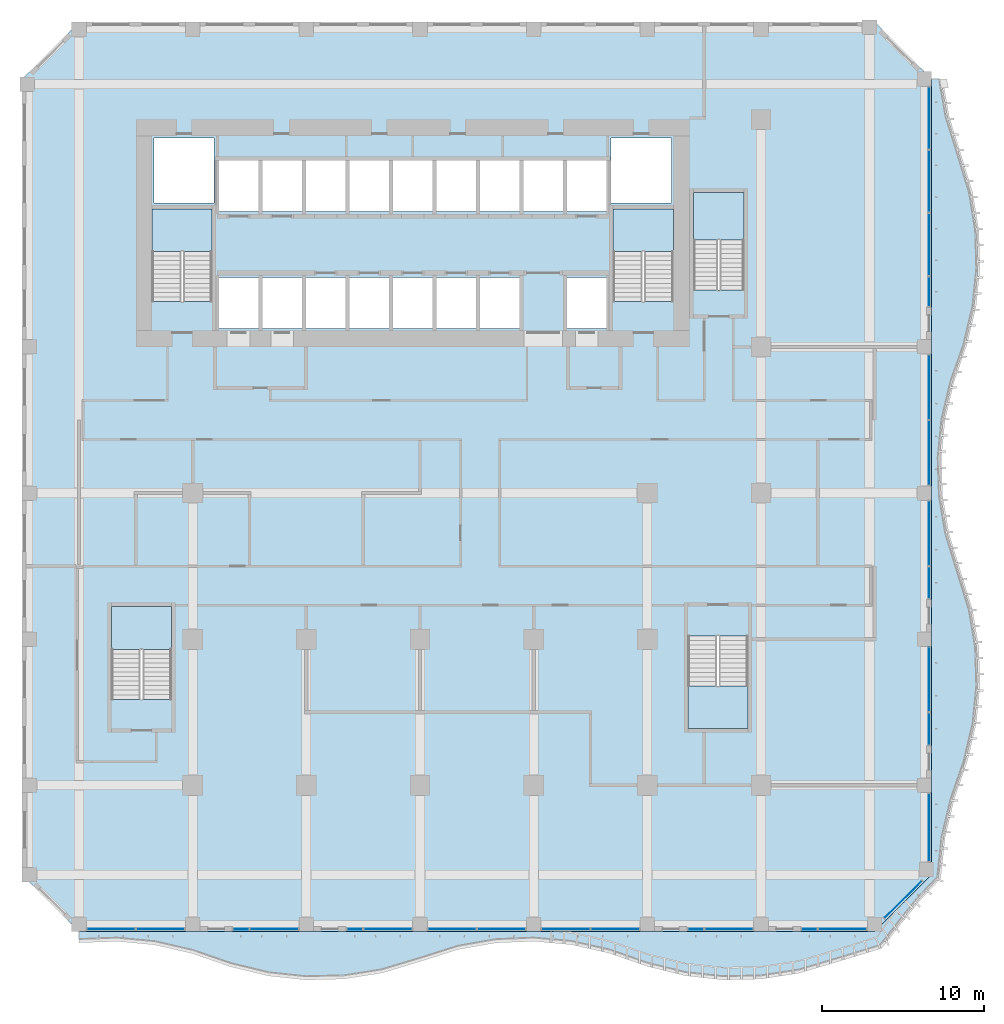
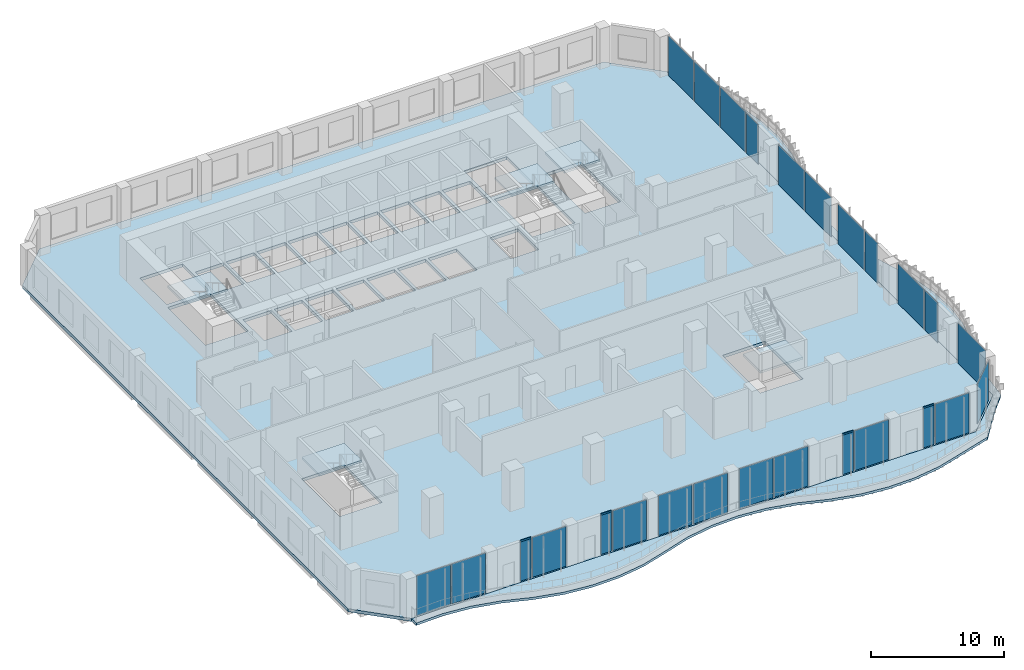
# One storey, part 9 of 25: 26 plates, 7 slabs, 4 members, 31 elements without a shape of their own.
"""IFC4 building model written with IfcOpenShell, lengths in metres."""

from ifc_helpers import new_model, si_unit, direction, frame, origin, origin_2d, place, context, subcontext, project, spatial, polyline, rectangle, outline, extrude, source, transform, mapped, material, layer, layer_set, material_profile, profile_set, type_object, element, aggregate, save


model = new_model("IFC4")

# Units and contexts
model_context = context("Model", 3, precision=1e-05, world=origin(), true_north=direction((0.0, 1.0)))
body_context = subcontext(model_context, "Body", "Model", "MODEL_VIEW")
ifc_project = project(units=[si_unit("LENGTHUNIT", "METRE"), si_unit("AREAUNIT", "SQUARE_METRE"), si_unit("VOLUMEUNIT", "CUBIC_METRE"), si_unit("PLANEANGLEUNIT", "RADIAN"), si_unit("MASSUNIT", "GRAM", prefix="KILO")], contexts=[model_context])

# Site, building, storey
site_placement = place(None, origin())
site = spatial("IfcSite", under=ifc_project, at=site_placement, CompositionType="ELEMENT")
building_placement = place(site_placement, origin())
building = spatial("IfcBuilding", under=site, at=building_placement, Name="Kilnfold Tower and Market Hall", CompositionType="ELEMENT")
storey_placement = place(building_placement, frame((0.0, 0.0, 67.199951171875)))
storey = spatial("IfcBuildingStorey", under=building, at=storey_placement, Name="L15", CompositionType="ELEMENT", Elevation=67.199951171875)

# Curtain wall, member
ifc_material_1 = material(Name="Aluminium and double glazing", Category="aluminium")
curtain_wall_type = type_object("IfcCurtainWallType", Name="CW OF1 VALLEY GLAZING", PredefinedType="NOTDEFINED", material=ifc_material_1)
curtain_wall_1_placement = place(storey_placement, origin())
curtain_wall_1 = element("IfcCurtainWall", 1, at=curtain_wall_1_placement, inside=storey, type_object=curtain_wall_type, Name="Curtain wall CW1 L15 S", PredefinedType="NOTDEFINED")
ifc_material_2 = material(Name="Aluminium", Category="aluminium")
ifc_material_profile = material_profile(ifc_material_2, rectangle(XDim=0.06005859375, YDim=0.139892578125, at=origin_2d()), Name="TRANSOM 60x140")
ifc_profile_set = profile_set([ifc_material_profile], Name="Aluminium")
member_type = type_object("IfcMemberType", Name="TRANSOM 60X140", PredefinedType="USERDEFINED", material=ifc_profile_set)
shared_shape_1 = source(origin(), body_context, "Body", "SweptSolid", [
    extrude(rectangle(XDim=0.06005859375, YDim=0.139892578125, at=origin_2d()), origin(), (0.0, 0.0, 1.0), 0.929931640625),
])
member_1_placement = place(storey_placement, frame((-9.989990234375, -27.85009765625, 3.68994140625), z_axis=(1.0, 0.0, 0.0), x_axis=(0.0, 1.0, 0.0)))
member_1 = element("IfcMember", 2, at=member_1_placement, type_object=member_type, Name="CW1 transom 1.2", ObjectType="TRANSOM", PredefinedType="USERDEFINED", context=body_context, shape_type="MappedRepresentation", body=[
    mapped(shared_shape_1, transform((0.0, 0.0, 0.0))),
])

curtain_wall_2_placement = place(storey_placement, origin())
curtain_wall_2 = element("IfcCurtainWall", 3, at=curtain_wall_2_placement, inside=storey, type_object=curtain_wall_type, Name="Curtain wall CW1 L15 S", PredefinedType="NOTDEFINED")
member_2_placement = place(storey_placement, frame((-2.989990234375, -27.85009765625, 3.68994140625), z_axis=(1.0, 0.0, 0.0), x_axis=(0.0, 1.0, 0.0)))
member_2 = element("IfcMember", 4, at=member_2_placement, type_object=member_type, Name="CW1 transom 1.2", ObjectType="TRANSOM", PredefinedType="USERDEFINED", context=body_context, shape_type="MappedRepresentation", body=[
    mapped(shared_shape_1, transform((0.0, 0.0, 0.0))),
])

curtain_wall_3_placement = place(storey_placement, origin())
curtain_wall_3 = element("IfcCurtainWall", 5, at=curtain_wall_3_placement, inside=storey, type_object=curtain_wall_type, Name="Curtain wall CW1 L15 S", PredefinedType="NOTDEFINED")
member_3_placement = place(storey_placement, frame((18.010009765625, -27.85009765625, 3.68994140625), z_axis=(1.0, 0.0, 0.0), x_axis=(0.0, 1.0, 0.0)))
member_3 = element("IfcMember", 6, at=member_3_placement, type_object=member_type, Name="CW1 transom 1.2", ObjectType="TRANSOM", PredefinedType="USERDEFINED", context=body_context, shape_type="MappedRepresentation", body=[
    mapped(shared_shape_1, transform((0.0, 0.0, 0.0))),
])

curtain_wall_4_placement = place(storey_placement, origin())
curtain_wall_4 = element("IfcCurtainWall", 7, at=curtain_wall_4_placement, inside=storey, type_object=curtain_wall_type, Name="Curtain wall CW1 L15 S", PredefinedType="NOTDEFINED")
member_4_placement = place(storey_placement, frame((25.010009765625, -27.85009765625, 3.68994140625), z_axis=(1.0, 0.0, 0.0), x_axis=(0.0, 1.0, 0.0)))
member_4 = element("IfcMember", 8, at=member_4_placement, type_object=member_type, Name="CW1 transom 1.2", ObjectType="TRANSOM", PredefinedType="USERDEFINED", context=body_context, shape_type="MappedRepresentation", body=[
    mapped(shared_shape_1, transform((0.0, 0.0, 0.0))),
])

# Slab
ifc_material_3 = material(Name="Concrete C45", Category="concrete")
ifc_layer_1 = layer(ifc_material_3, 0.280029296875)
ifc_layer_set_1 = layer_set([ifc_layer_1], Name="Concrete C45")
slab_type_1 = type_object("IfcSlabType", Name="FLOOR SLAB 280", PredefinedType="FLOOR", material=ifc_layer_set_1)
shared_shape_2 = source(origin(), body_context, "Body", "SweptSolid", [
    extrude(outline(polyline([(-19.5, -28.0), (29.5, -28.0), (33.0, -24.5), (33.0, 24.5), (29.5, 28.0), (-19.5, 28.0), (-23.0, 24.5), (-23.0, -24.5), (-19.5, -28.0)]), holes=[polyline([(-13.800537109375, -13.699462890625), (-17.49951171875, -13.699462890625), (-17.49951171875, -8.00048828125), (-13.800537109375, -8.00048828125), (-13.800537109375, -13.699462890625)]), polyline([(-14.99951171875, 10.800537109375), (-14.99951171875, 16.49951171875), (-11.300537109375, 16.49951171875), (-11.300537109375, 10.800537109375), (-14.99951171875, 10.800537109375)]), polyline([(-14.875, 16.875), (-14.875, 20.875), (-11.175048828125, 20.875), (-11.175048828125, 16.875), (-14.875, 16.875)]), polyline([(-10.885009765625, 9.125), (-10.885009765625, 12.27490234375), (-8.455078125, 12.27490234375), (-8.455078125, 9.125), (-10.885009765625, 9.125)]), polyline([(-8.455078125, 16.324951171875), (-10.885009765625, 16.324951171875), (-10.885009765625, 19.47509765625), (-8.455078125, 19.47509765625), (-8.455078125, 16.324951171875)]), polyline([(-8.205078125, 9.125), (-8.205078125, 12.27490234375), (-5.77490234375, 12.27490234375), (-5.77490234375, 9.125), (-8.205078125, 9.125)]), polyline([(-8.205078125, 16.324951171875), (-8.205078125, 19.47509765625), (-5.77490234375, 19.47509765625), (-5.77490234375, 16.324951171875), (-8.205078125, 16.324951171875)]), polyline([(-3.094970703125, 9.125), (-5.52490234375, 9.125), (-5.52490234375, 12.27490234375), (-3.094970703125, 12.27490234375), (-3.094970703125, 9.125)]), polyline([(-5.52490234375, 16.324951171875), (-5.52490234375, 19.47509765625), (-3.094970703125, 19.47509765625), (-3.094970703125, 16.324951171875), (-5.52490234375, 16.324951171875)]), polyline([(-2.844970703125, 9.125), (-2.844970703125, 12.27490234375), (-0.4150390625, 12.27490234375), (-0.4150390625, 9.125), (-2.844970703125, 9.125)]), polyline([(-0.4150390625, 16.324951171875), (-2.844970703125, 16.324951171875), (-2.844970703125, 19.47509765625), (-0.4150390625, 19.47509765625), (-0.4150390625, 16.324951171875)]), polyline([(-0.1650390625, 9.125), (-0.1650390625, 12.27490234375), (2.264892578125, 12.27490234375), (2.264892578125, 9.125), (-0.1650390625, 9.125)]), polyline([(-0.1650390625, 16.324951171875), (-0.1650390625, 19.47509765625), (2.264892578125, 19.47509765625), (2.264892578125, 16.324951171875), (-0.1650390625, 16.324951171875)]), polyline([(2.514892578125, 9.125), (2.514892578125, 12.27490234375), (4.945068359375, 12.27490234375), (4.945068359375, 9.125), (2.514892578125, 9.125)]), polyline([(2.514892578125, 16.324951171875), (2.514892578125, 19.47509765625), (4.945068359375, 19.47509765625), (4.945068359375, 16.324951171875), (2.514892578125, 16.324951171875)]), polyline([(7.625, 9.125), (5.195068359375, 9.125), (5.195068359375, 12.27490234375), (7.625, 12.27490234375), (7.625, 9.125)]), polyline([(5.195068359375, 16.324951171875), (5.195068359375, 19.47509765625), (7.625, 19.47509765625), (7.625, 16.324951171875), (5.195068359375, 16.324951171875)]), polyline([(10.304931640625, 16.324951171875), (7.875, 16.324951171875), (7.875, 19.47509765625), (10.304931640625, 19.47509765625), (10.304931640625, 16.324951171875)]), polyline([(10.554931640625, 9.125), (10.554931640625, 12.27490234375), (12.985107421875, 12.27490234375), (12.985107421875, 9.125), (10.554931640625, 9.125)]), polyline([(10.554931640625, 16.324951171875), (10.554931640625, 19.47509765625), (12.985107421875, 19.47509765625), (12.985107421875, 16.324951171875), (10.554931640625, 16.324951171875)]), polyline([(13.27490234375, 16.875), (13.27490234375, 20.875), (16.97509765625, 20.875), (16.97509765625, 16.875), (13.27490234375, 16.875)]), polyline([(13.400390625, 10.800537109375), (13.400390625, 16.49951171875), (17.099609375, 16.49951171875), (17.099609375, 10.800537109375), (13.400390625, 10.800537109375)]), polyline([(18.00048828125, -9.800537109375), (21.699462890625, -9.800537109375), (21.699462890625, -15.49951171875), (18.00048828125, -15.49951171875), (18.00048828125, -9.800537109375)]), polyline([(21.449462890625, 11.50048828125), (18.3505859375, 11.50048828125), (18.3505859375, 17.49951171875), (21.449462890625, 17.49951171875), (21.449462890625, 11.50048828125)])]), origin(), (0.0, 0.0, 1.0), 0.280029296875),
])
slab_1_placement = place(storey_placement, frame((0.0, 0.0, -0.280029296875)))
element("IfcSlab", 9, at=slab_1_placement, inside=storey, type_object=slab_type_1, Name="Floor slab L15", PredefinedType="FLOOR", context=body_context, shape_type="MappedRepresentation", body=[
    mapped(shared_shape_2, transform((0.0, 0.0, 0.0))),
])

# Plate
ifc_material_4 = material(Name="Double glazed unit")
ifc_layer_2 = layer(ifc_material_4, 0.031982421875)
ifc_layer_set_2 = layer_set([ifc_layer_2], Name="Double glazed unit")
plate_type = type_object("IfcPlateType", Name="GLAZING PANEL 32", PredefinedType="CURTAIN_PANEL", material=ifc_layer_set_2)
shared_shape_3 = source(origin(), body_context, "Body", "SweptSolid", [
    extrude(rectangle(XDim=0.929931640625, YDim=0.031982421875, at=origin_2d()), origin(), (0.0, 0.0, 1.0), 3.659912109375),
])
plate_1_placement = place(storey_placement, frame((-9.52490234375, -27.85009765625, 0.0), z_axis=(0.0, 0.0, 1.0), x_axis=(1.0, 0.0, 0.0)))
plate_1 = element("IfcPlate", 10, at=plate_1_placement, type_object=plate_type, Name="CW1 panel 1.1", PredefinedType="CURTAIN_PANEL", context=body_context, shape_type="MappedRepresentation", body=[
    mapped(shared_shape_3, transform((0.0, 0.0, 0.0))),
])

aggregate(curtain_wall_1, [member_1, plate_1])

plate_2_placement = place(storey_placement, frame((-2.52490234375, -27.85009765625, 0.0), z_axis=(0.0, 0.0, 1.0), x_axis=(1.0, 0.0, 0.0)))
plate_2 = element("IfcPlate", 11, at=plate_2_placement, type_object=plate_type, Name="CW1 panel 1.1", PredefinedType="CURTAIN_PANEL", context=body_context, shape_type="MappedRepresentation", body=[
    mapped(shared_shape_3, transform((0.0, 0.0, 0.0))),
])

aggregate(curtain_wall_2, [member_2, plate_2])

plate_3_placement = place(storey_placement, frame((18.47509765625, -27.85009765625, 0.0), z_axis=(0.0, 0.0, 1.0), x_axis=(1.0, 0.0, 0.0)))
plate_3 = element("IfcPlate", 12, at=plate_3_placement, type_object=plate_type, Name="CW1 panel 1.1", PredefinedType="CURTAIN_PANEL", context=body_context, shape_type="MappedRepresentation", body=[
    mapped(shared_shape_3, transform((0.0, 0.0, 0.0))),
])

aggregate(curtain_wall_3, [member_3, plate_3])

plate_4_placement = place(storey_placement, frame((25.47509765625, -27.85009765625, 0.0), z_axis=(0.0, 0.0, 1.0), x_axis=(1.0, 0.0, 0.0)))
plate_4 = element("IfcPlate", 13, at=plate_4_placement, type_object=plate_type, Name="CW1 panel 1.1", PredefinedType="CURTAIN_PANEL", context=body_context, shape_type="MappedRepresentation", body=[
    mapped(shared_shape_3, transform((0.0, 0.0, 0.0))),
])

aggregate(curtain_wall_4, [member_4, plate_4])

# Curtain wall, plate
curtain_wall_5_placement = place(storey_placement, origin())
curtain_wall_5 = element("IfcCurtainWall", 14, at=curtain_wall_5_placement, inside=storey, type_object=curtain_wall_type, Name="Curtain wall CW1 L15 S", PredefinedType="NOTDEFINED")
shared_shape_4 = source(origin(), body_context, "Body", "SweptSolid", [
    extrude(rectangle(XDim=2.929931640625, YDim=0.031982421875, at=origin_2d()), origin(), (0.0, 0.0, 1.0), 3.659912109375),
])
plate_5_placement = place(storey_placement, frame((-17.52490234375, -27.85009765625, 0.0), z_axis=(0.0, 0.0, 1.0), x_axis=(1.0, 0.0, 0.0)))
plate_5 = element("IfcPlate", 15, at=plate_5_placement, type_object=plate_type, Name="CW1 panel 1.1", PredefinedType="CURTAIN_PANEL", context=body_context, shape_type="MappedRepresentation", body=[
    mapped(shared_shape_4, transform((0.0, 0.0, 0.0))),
])
aggregate(curtain_wall_5, [plate_5])

curtain_wall_6_placement = place(storey_placement, origin())
curtain_wall_6 = element("IfcCurtainWall", 16, at=curtain_wall_6_placement, inside=storey, type_object=curtain_wall_type, Name="Curtain wall CW1 L15 S", PredefinedType="NOTDEFINED")
plate_6_placement = place(storey_placement, frame((-14.47509765625, -27.85009765625, 0.0), z_axis=(0.0, 0.0, 1.0), x_axis=(1.0, 0.0, 0.0)))
plate_6 = element("IfcPlate", 17, at=plate_6_placement, type_object=plate_type, Name="CW1 panel 1.1", PredefinedType="CURTAIN_PANEL", context=body_context, shape_type="MappedRepresentation", body=[
    mapped(shared_shape_4, transform((0.0, 0.0, 0.0))),
])
aggregate(curtain_wall_6, [plate_6])

curtain_wall_7_placement = place(storey_placement, origin())
curtain_wall_7 = element("IfcCurtainWall", 18, at=curtain_wall_7_placement, inside=storey, type_object=curtain_wall_type, Name="Curtain wall CW1 L15 S", PredefinedType="NOTDEFINED")
plate_7_placement = place(storey_placement, frame((-7.47509765625, -27.85009765625, 0.0), z_axis=(0.0, 0.0, 1.0), x_axis=(1.0, 0.0, 0.0)))
plate_7 = element("IfcPlate", 19, at=plate_7_placement, type_object=plate_type, Name="CW1 panel 1.1", PredefinedType="CURTAIN_PANEL", context=body_context, shape_type="MappedRepresentation", body=[
    mapped(shared_shape_4, transform((0.0, 0.0, 0.0))),
])
aggregate(curtain_wall_7, [plate_7])

curtain_wall_8_placement = place(storey_placement, origin())
curtain_wall_8 = element("IfcCurtainWall", 20, at=curtain_wall_8_placement, inside=storey, type_object=curtain_wall_type, Name="Curtain wall CW1 L15 S", PredefinedType="NOTDEFINED")
plate_8_placement = place(storey_placement, frame((-0.47509765625, -27.85009765625, 0.0), z_axis=(0.0, 0.0, 1.0), x_axis=(1.0, 0.0, 0.0)))
plate_8 = element("IfcPlate", 21, at=plate_8_placement, type_object=plate_type, Name="CW1 panel 1.1", PredefinedType="CURTAIN_PANEL", context=body_context, shape_type="MappedRepresentation", body=[
    mapped(shared_shape_4, transform((0.0, 0.0, 0.0))),
])
aggregate(curtain_wall_8, [plate_8])

curtain_wall_9_placement = place(storey_placement, origin())
curtain_wall_9 = element("IfcCurtainWall", 22, at=curtain_wall_9_placement, inside=storey, type_object=curtain_wall_type, Name="Curtain wall CW1 L15 S", PredefinedType="NOTDEFINED")
plate_9_placement = place(storey_placement, frame((3.47509765625, -27.85009765625, 0.0), z_axis=(0.0, 0.0, 1.0), x_axis=(1.0, 0.0, 0.0)))
plate_9 = element("IfcPlate", 23, at=plate_9_placement, type_object=plate_type, Name="CW1 panel 1.1", PredefinedType="CURTAIN_PANEL", context=body_context, shape_type="MappedRepresentation", body=[
    mapped(shared_shape_4, transform((0.0, 0.0, 0.0))),
])
aggregate(curtain_wall_9, [plate_9])

curtain_wall_10_placement = place(storey_placement, origin())
curtain_wall_10 = element("IfcCurtainWall", 24, at=curtain_wall_10_placement, inside=storey, type_object=curtain_wall_type, Name="Curtain wall CW1 L15 S", PredefinedType="NOTDEFINED")
plate_10_placement = place(storey_placement, frame((6.52490234375, -27.85009765625, 0.0), z_axis=(0.0, 0.0, 1.0), x_axis=(1.0, 0.0, 0.0)))
plate_10 = element("IfcPlate", 25, at=plate_10_placement, type_object=plate_type, Name="CW1 panel 1.1", PredefinedType="CURTAIN_PANEL", context=body_context, shape_type="MappedRepresentation", body=[
    mapped(shared_shape_4, transform((0.0, 0.0, 0.0))),
])
aggregate(curtain_wall_10, [plate_10])

curtain_wall_11_placement = place(storey_placement, origin())
curtain_wall_11 = element("IfcCurtainWall", 26, at=curtain_wall_11_placement, inside=storey, type_object=curtain_wall_type, Name="Curtain wall CW1 L15 S", PredefinedType="NOTDEFINED")
plate_11_placement = place(storey_placement, frame((10.47509765625, -27.85009765625, 0.0), z_axis=(0.0, 0.0, 1.0), x_axis=(1.0, 0.0, 0.0)))
plate_11 = element("IfcPlate", 27, at=plate_11_placement, type_object=plate_type, Name="CW1 panel 1.1", PredefinedType="CURTAIN_PANEL", context=body_context, shape_type="MappedRepresentation", body=[
    mapped(shared_shape_4, transform((0.0, 0.0, 0.0))),
])
aggregate(curtain_wall_11, [plate_11])

curtain_wall_12_placement = place(storey_placement, origin())
curtain_wall_12 = element("IfcCurtainWall", 28, at=curtain_wall_12_placement, inside=storey, type_object=curtain_wall_type, Name="Curtain wall CW1 L15 S", PredefinedType="NOTDEFINED")
plate_12_placement = place(storey_placement, frame((13.52490234375, -27.85009765625, 0.0), z_axis=(0.0, 0.0, 1.0), x_axis=(1.0, 0.0, 0.0)))
plate_12 = element("IfcPlate", 29, at=plate_12_placement, type_object=plate_type, Name="CW1 panel 1.1", PredefinedType="CURTAIN_PANEL", context=body_context, shape_type="MappedRepresentation", body=[
    mapped(shared_shape_4, transform((0.0, 0.0, 0.0))),
])
aggregate(curtain_wall_12, [plate_12])

curtain_wall_13_placement = place(storey_placement, origin())
curtain_wall_13 = element("IfcCurtainWall", 30, at=curtain_wall_13_placement, inside=storey, type_object=curtain_wall_type, Name="Curtain wall CW1 L15 S", PredefinedType="NOTDEFINED")
plate_13_placement = place(storey_placement, frame((20.52490234375, -27.85009765625, 0.0), z_axis=(0.0, 0.0, 1.0), x_axis=(1.0, 0.0, 0.0)))
plate_13 = element("IfcPlate", 31, at=plate_13_placement, type_object=plate_type, Name="CW1 panel 1.1", PredefinedType="CURTAIN_PANEL", context=body_context, shape_type="MappedRepresentation", body=[
    mapped(shared_shape_4, transform((0.0, 0.0, 0.0))),
])
aggregate(curtain_wall_13, [plate_13])

curtain_wall_14_placement = place(storey_placement, origin())
curtain_wall_14 = element("IfcCurtainWall", 32, at=curtain_wall_14_placement, inside=storey, type_object=curtain_wall_type, Name="Curtain wall CW1 L15 S", PredefinedType="NOTDEFINED")
plate_14_placement = place(storey_placement, frame((27.52490234375, -27.85009765625, 0.0), z_axis=(0.0, 0.0, 1.0), x_axis=(1.0, 0.0, 0.0)))
plate_14 = element("IfcPlate", 33, at=plate_14_placement, type_object=plate_type, Name="CW1 panel 1.1", PredefinedType="CURTAIN_PANEL", context=body_context, shape_type="MappedRepresentation", body=[
    mapped(shared_shape_4, transform((0.0, 0.0, 0.0))),
])
aggregate(curtain_wall_14, [plate_14])

curtain_wall_15_placement = place(storey_placement, origin())
curtain_wall_15 = element("IfcCurtainWall", 34, at=curtain_wall_15_placement, inside=storey, type_object=curtain_wall_type, Name="Curtain wall CW1 L15 E", PredefinedType="NOTDEFINED")
shared_shape_5 = source(origin(), body_context, "Body", "SweptSolid", [
    extrude(rectangle(XDim=3.929931640625, YDim=0.031982421875, at=origin_2d()), origin(), (0.0, 0.0, 1.0), 3.659912109375),
])
plate_15_placement = place(storey_placement, frame((32.85009765625, -12.47509765625, 0.0), z_axis=(0.0, 0.0, 1.0), x_axis=(0.0, 1.0, 0.0)))
plate_15 = element("IfcPlate", 35, at=plate_15_placement, type_object=plate_type, Name="CW1 panel 1.1", PredefinedType="CURTAIN_PANEL", context=body_context, shape_type="MappedRepresentation", body=[
    mapped(shared_shape_5, transform((0.0, 0.0, 0.0))),
])
aggregate(curtain_wall_15, [plate_15])

curtain_wall_16_placement = place(storey_placement, origin())
curtain_wall_16 = element("IfcCurtainWall", 36, at=curtain_wall_16_placement, inside=storey, type_object=curtain_wall_type, Name="Curtain wall CW1 L15 E", PredefinedType="NOTDEFINED")
plate_16_placement = place(storey_placement, frame((32.85009765625, -3.47509765625, 0.0), z_axis=(0.0, 0.0, 1.0), x_axis=(0.0, 1.0, 0.0)))
plate_16 = element("IfcPlate", 37, at=plate_16_placement, type_object=plate_type, Name="CW1 panel 1.1", PredefinedType="CURTAIN_PANEL", context=body_context, shape_type="MappedRepresentation", body=[
    mapped(shared_shape_5, transform((0.0, 0.0, 0.0))),
])
aggregate(curtain_wall_16, [plate_16])

curtain_wall_17_placement = place(storey_placement, origin())
curtain_wall_17 = element("IfcCurtainWall", 38, at=curtain_wall_17_placement, inside=storey, type_object=curtain_wall_type, Name="Curtain wall CW1 L15 E", PredefinedType="NOTDEFINED")
plate_17_placement = place(storey_placement, frame((32.85009765625, 1.47509765625, 0.0), z_axis=(0.0, 0.0, 1.0), x_axis=(0.0, 1.0, 0.0)))
plate_17 = element("IfcPlate", 39, at=plate_17_placement, type_object=plate_type, Name="CW1 panel 1.1", PredefinedType="CURTAIN_PANEL", context=body_context, shape_type="MappedRepresentation", body=[
    mapped(shared_shape_5, transform((0.0, 0.0, 0.0))),
])
aggregate(curtain_wall_17, [plate_17])

curtain_wall_18_placement = place(storey_placement, origin())
curtain_wall_18 = element("IfcCurtainWall", 40, at=curtain_wall_18_placement, inside=storey, type_object=curtain_wall_type, Name="Curtain wall CW1 L15 E", PredefinedType="NOTDEFINED")
plate_18_placement = place(storey_placement, frame((32.85009765625, 5.52490234375, 0.0), z_axis=(0.0, 0.0, 1.0), x_axis=(0.0, 1.0, 0.0)))
plate_18 = element("IfcPlate", 41, at=plate_18_placement, type_object=plate_type, Name="CW1 panel 1.1", PredefinedType="CURTAIN_PANEL", context=body_context, shape_type="MappedRepresentation", body=[
    mapped(shared_shape_5, transform((0.0, 0.0, 0.0))),
])
aggregate(curtain_wall_18, [plate_18])

curtain_wall_19_placement = place(storey_placement, origin())
curtain_wall_19 = element("IfcCurtainWall", 42, at=curtain_wall_19_placement, inside=storey, type_object=curtain_wall_type, Name="Curtain wall CW1 L15 E", PredefinedType="NOTDEFINED")
shared_shape_6 = source(origin(), body_context, "Body", "SweptSolid", [
    extrude(rectangle(XDim=1.929931640625, YDim=0.031982421875, at=origin_2d()), origin(), (0.0, 0.0, 1.0), 3.659912109375),
])
plate_19_placement = place(storey_placement, frame((32.85009765625, -15.52490234375, 0.0), z_axis=(0.0, 0.0, 1.0), x_axis=(0.0, 1.0, 0.0)))
plate_19 = element("IfcPlate", 43, at=plate_19_placement, type_object=plate_type, Name="CW1 panel 1.1", PredefinedType="CURTAIN_PANEL", context=body_context, shape_type="MappedRepresentation", body=[
    mapped(shared_shape_6, transform((0.0, 0.0, 0.0))),
])
aggregate(curtain_wall_19, [plate_19])

curtain_wall_20_placement = place(storey_placement, origin())
curtain_wall_20 = element("IfcCurtainWall", 44, at=curtain_wall_20_placement, inside=storey, type_object=curtain_wall_type, Name="Curtain wall CW1 L15 E", PredefinedType="NOTDEFINED")
plate_20_placement = place(storey_placement, frame((32.85009765625, -6.52490234375, 0.0), z_axis=(0.0, 0.0, 1.0), x_axis=(0.0, 1.0, 0.0)))
plate_20 = element("IfcPlate", 45, at=plate_20_placement, type_object=plate_type, Name="CW1 panel 1.1", PredefinedType="CURTAIN_PANEL", context=body_context, shape_type="MappedRepresentation", body=[
    mapped(shared_shape_6, transform((0.0, 0.0, 0.0))),
])
aggregate(curtain_wall_20, [plate_20])

curtain_wall_21_placement = place(storey_placement, origin())
curtain_wall_21 = element("IfcCurtainWall", 46, at=curtain_wall_21_placement, inside=storey, type_object=curtain_wall_type, Name="Curtain wall CW1 L15 E", PredefinedType="NOTDEFINED")
shared_shape_7 = source(origin(), body_context, "Body", "SweptSolid", [
    extrude(rectangle(XDim=3.780029296875, YDim=0.031982421875, at=origin_2d()), origin(), (0.0, 0.0, 1.0), 3.659912109375),
])
plate_21_placement = place(storey_placement, frame((32.85009765625, 14.300048828125, 0.0), z_axis=(0.0, 0.0, 1.0), x_axis=(0.0, 1.0, 0.0)))
plate_21 = element("IfcPlate", 47, at=plate_21_placement, type_object=plate_type, Name="CW1 panel 1.1", PredefinedType="CURTAIN_PANEL", context=body_context, shape_type="MappedRepresentation", body=[
    mapped(shared_shape_7, transform((0.0, 0.0, 0.0))),
])
aggregate(curtain_wall_21, [plate_21])

curtain_wall_22_placement = place(storey_placement, origin())
curtain_wall_22 = element("IfcCurtainWall", 48, at=curtain_wall_22_placement, inside=storey, type_object=curtain_wall_type, Name="Curtain wall CW1 L15 E", PredefinedType="NOTDEFINED")
plate_22_placement = place(storey_placement, frame((32.85009765625, 18.199951171875, 0.0), z_axis=(0.0, 0.0, 1.0), x_axis=(0.0, 1.0, 0.0)))
plate_22 = element("IfcPlate", 49, at=plate_22_placement, type_object=plate_type, Name="CW1 panel 1.1", PredefinedType="CURTAIN_PANEL", context=body_context, shape_type="MappedRepresentation", body=[
    mapped(shared_shape_7, transform((0.0, 0.0, 0.0))),
])
aggregate(curtain_wall_22, [plate_22])

curtain_wall_23_placement = place(storey_placement, origin())
curtain_wall_23 = element("IfcCurtainWall", 50, at=curtain_wall_23_placement, inside=storey, type_object=curtain_wall_type, Name="Curtain wall CW1 L15 E", PredefinedType="NOTDEFINED")
plate_23_placement = place(storey_placement, frame((32.85009765625, 22.10009765625, 0.0), z_axis=(0.0, 0.0, 1.0), x_axis=(0.0, 1.0, 0.0)))
plate_23 = element("IfcPlate", 51, at=plate_23_placement, type_object=plate_type, Name="CW1 panel 1.1", PredefinedType="CURTAIN_PANEL", context=body_context, shape_type="MappedRepresentation", body=[
    mapped(shared_shape_7, transform((0.0, 0.0, 0.0))),
])
aggregate(curtain_wall_23, [plate_23])

curtain_wall_24_placement = place(storey_placement, origin())
curtain_wall_24 = element("IfcCurtainWall", 52, at=curtain_wall_24_placement, inside=storey, type_object=curtain_wall_type, Name="Curtain wall CW1 L15 E", PredefinedType="NOTDEFINED")
shared_shape_8 = source(origin(), body_context, "Body", "SweptSolid", [
    extrude(rectangle(XDim=1.780029296875, YDim=0.031982421875, at=origin_2d()), origin(), (0.0, 0.0, 1.0), 3.659912109375),
])
plate_24_placement = place(storey_placement, frame((32.85009765625, 11.39990234375, 0.0), z_axis=(0.0, 0.0, 1.0), x_axis=(0.0, 1.0, 0.0)))
plate_24 = element("IfcPlate", 53, at=plate_24_placement, type_object=plate_type, Name="CW1 panel 1.1", PredefinedType="CURTAIN_PANEL", context=body_context, shape_type="MappedRepresentation", body=[
    mapped(shared_shape_8, transform((0.0, 0.0, 0.0))),
])
aggregate(curtain_wall_24, [plate_24])

curtain_wall_25_placement = place(storey_placement, origin())
curtain_wall_25 = element("IfcCurtainWall", 54, at=curtain_wall_25_placement, inside=storey, type_object=curtain_wall_type, Name="Curtain wall CW1 L15 E", PredefinedType="NOTDEFINED")
shared_shape_9 = source(origin(), body_context, "Body", "SweptSolid", [
    extrude(rectangle(XDim=4.161865234375, YDim=0.031982421875, at=origin_2d()), origin(), (0.0, 0.0, 1.0), 3.659912109375),
])
plate_25_placement = place(storey_placement, frame((32.85009765625, -21.5908203125, 0.0), z_axis=(0.0, 0.0, 1.0), x_axis=(0.0, 1.0, 0.0)))
plate_25 = element("IfcPlate", 55, at=plate_25_placement, type_object=plate_type, Name="CW1 panel 1.1", PredefinedType="CURTAIN_PANEL", context=body_context, shape_type="MappedRepresentation", body=[
    mapped(shared_shape_9, transform((0.0, 0.0, 0.0))),
])
aggregate(curtain_wall_25, [plate_25])

curtain_wall_26_placement = place(storey_placement, origin())
curtain_wall_26 = element("IfcCurtainWall", 56, at=curtain_wall_26_placement, inside=storey, type_object=curtain_wall_type, Name="Curtain wall CW1 L15 SE", PredefinedType="NOTDEFINED")
shared_shape_10 = source(origin(), body_context, "Body", "SweptSolid", [
    extrude(rectangle(XDim=3.23876953125, YDim=0.031982421875, at=origin_2d()), origin(), (0.0, 0.0, 1.0), 3.659912109375),
])
plate_26_placement = place(storey_placement, frame((31.25634765625, -26.031494140625, 0.0), z_axis=(0.0, 0.0, 1.0), x_axis=(0.707121667181, 0.707091894879, 0.0)))
plate_26 = element("IfcPlate", 57, at=plate_26_placement, type_object=plate_type, Name="CW1 panel 1.1", PredefinedType="CURTAIN_PANEL", context=body_context, shape_type="MappedRepresentation", body=[
    mapped(shared_shape_10, transform((0.0, 0.0, 0.0))),
])
aggregate(curtain_wall_26, [plate_26])

# Slab
ifc_material_5 = material(Name="Concrete C40/50", Category="concrete")
ifc_layer_3 = layer(ifc_material_5, 0.219970703125)
ifc_layer_set_3 = layer_set([ifc_layer_3], Name="Concrete C40/50")
slab_type_2 = type_object("IfcSlabType", Name="BALCONY SLAB 220", PredefinedType="FLOOR", material=ifc_layer_set_3)
shared_shape_11 = source(origin(), body_context, "Body", "SweptSolid", [
    extrude(outline(polyline([(-19.5, -28.0), (29.5, -28.0), (33.0, -24.5), (33.0, 24.5), (33.69482421875, 24.5), (34.09423828125, 22.166748046875), (34.8271484375, 19.833251953125), (35.5390625, 17.5), (35.919189453125, 15.166748046875), (35.98876953125, 12.833251953125), (35.751220703125, 10.5), (35.194091796875, 8.166748046875), (34.384033203125, 5.833251953125), (33.8369140625, 3.5), (33.60888671875, 1.166748046875), (33.687744140625, -1.166748046875), (34.077392578125, -3.5), (35.5224609375, -8.166748046875), (35.912353515625, -10.5), (35.990966796875, -12.833251953125), (35.762939453125, -15.166748046875), (35.216064453125, -17.5), (34.406005859375, -19.833251953125), (33.848876953125, -22.166748046875), (33.564697265625, -24.73388671875), (32.27783203125, -26.111328125), (31.232421875, -27.39892578125), (29.931884765625, -29.04296875), (27.166748046875, -29.880615234375), (24.833251953125, -30.5712890625), (22.5, -30.93212890625), (20.166748046875, -30.98291015625), (17.833251953125, -30.726806640625), (15.5, -30.1494140625), (13.166748046875, -29.34130859375), (10.833251953125, -28.814208984375), (8.5, -28.60498046875), (6.166748046875, -28.702392578125), (3.833251953125, -29.111572265625), (1.5, -29.85400390625), (-0.833251953125, -30.555419921875), (-3.166748046875, -30.92578125), (-5.5, -30.986083984375), (-7.833251953125, -30.7392578125), (-10.166748046875, -30.171875), (-12.5, -29.362548828125), (-14.833251953125, -28.825439453125), (-17.166748046875, -28.60693359375), (-19.5, -28.69482421875), (-19.5, -28.0)])), origin(), (0.0, 0.0, 1.0), 0.219970703125),
])
slab_2_placement = place(storey_placement, frame((0.0, 0.0, -0.219970703125)))
element("IfcSlab", 58, at=slab_2_placement, inside=storey, type_object=slab_type_2, Name="Balcony slab L15", PredefinedType="FLOOR", context=body_context, shape_type="MappedRepresentation", body=[
    mapped(shared_shape_11, transform((0.0, 0.0, 0.0))),
])

# Stair, slab
ifc_material_6 = material(Name="Concrete C40/50", Category="concrete")
stair_type_1 = type_object("IfcStairType", Name="CORE STAIR 1800", PredefinedType="HALF_TURN_STAIR", material=ifc_material_6)
stair_1_placement = place(storey_placement, origin())
stair_1 = element("IfcStair", 59, at=stair_1_placement, inside=storey, type_object=stair_type_1, Name="L15 ST1", PredefinedType="HALF_TURN_STAIR")
ifc_material_7 = material(Name="Concrete C40/50", Category="concrete")
ifc_layer_4 = layer(ifc_material_7, 0.199951171875)
ifc_layer_set_4 = layer_set([ifc_layer_4], Name="Concrete C40/50")
slab_type_3 = type_object("IfcSlabType", Name="CORE STAIR LANDING 200", PredefinedType="LANDING", material=ifc_layer_set_4)
shared_shape_12 = source(origin(), body_context, "Body", "SweptSolid", [
    extrude(outline(polyline([(-11.300048828125, 13.8798828125), (-11.300048828125, 16.5), (-15.0, 16.5), (-15.0, 13.8798828125), (-11.300048828125, 13.8798828125)])), origin(), (0.0, 0.0, 1.0), 0.199951171875),
])
slab_3_placement = place(storey_placement, frame((0.0, 0.0, 1.800048828125)))
slab_3 = element("IfcSlab", 60, at=slab_3_placement, type_object=slab_type_3, Name="ST1 landing 1", PredefinedType="LANDING", context=body_context, shape_type="MappedRepresentation", body=[
    mapped(shared_shape_12, transform((0.0, 0.0, 0.0))),
])
aggregate(stair_1, [slab_3])

stair_2_placement = place(storey_placement, origin())
stair_2 = element("IfcStair", 61, at=stair_2_placement, inside=storey, type_object=stair_type_1, Name="L15 ST2", PredefinedType="HALF_TURN_STAIR")
shared_shape_13 = source(origin(), body_context, "Body", "SweptSolid", [
    extrude(outline(polyline([(17.10009765625, 13.8798828125), (17.10009765625, 16.5), (13.39990234375, 16.5), (13.39990234375, 13.8798828125), (17.10009765625, 13.8798828125)])), origin(), (0.0, 0.0, 1.0), 0.199951171875),
])
slab_4_placement = place(storey_placement, frame((0.0, 0.0, 1.800048828125)))
slab_4 = element("IfcSlab", 62, at=slab_4_placement, type_object=slab_type_3, Name="ST2 landing 1", PredefinedType="LANDING", context=body_context, shape_type="MappedRepresentation", body=[
    mapped(shared_shape_13, transform((0.0, 0.0, 0.0))),
])
aggregate(stair_2, [slab_4])

stair_3_placement = place(storey_placement, origin())
stair_3 = element("IfcStair", 63, at=stair_3_placement, inside=storey, type_object=stair_type_1, Name="L15 ST3", PredefinedType="HALF_TURN_STAIR")
shared_shape_14 = source(origin(), body_context, "Body", "SweptSolid", [
    extrude(outline(polyline([(-13.800048828125, -10.6201171875), (-13.800048828125, -8.0), (-17.5, -8.0), (-17.5, -10.6201171875), (-13.800048828125, -10.6201171875)])), origin(), (0.0, 0.0, 1.0), 0.199951171875),
])
slab_5_placement = place(storey_placement, frame((0.0, 0.0, 1.800048828125)))
slab_5 = element("IfcSlab", 64, at=slab_5_placement, type_object=slab_type_3, Name="ST3 landing 1", PredefinedType="LANDING", context=body_context, shape_type="MappedRepresentation", body=[
    mapped(shared_shape_14, transform((0.0, 0.0, 0.0))),
])
aggregate(stair_3, [slab_5])

stair_4_placement = place(storey_placement, origin())
stair_4 = element("IfcStair", 65, at=stair_4_placement, inside=storey, type_object=stair_type_1, Name="L15 ST4", PredefinedType="HALF_TURN_STAIR")
shared_shape_15 = source(origin(), body_context, "Body", "SweptSolid", [
    extrude(outline(polyline([(18.0, -12.8798828125), (18.0, -15.5), (21.699951171875, -15.5), (21.699951171875, -12.8798828125), (18.0, -12.8798828125)])), origin(), (0.0, 0.0, 1.0), 0.199951171875),
])
slab_6_placement = place(storey_placement, frame((0.0, 0.0, 1.800048828125)))
slab_6 = element("IfcSlab", 66, at=slab_6_placement, type_object=slab_type_3, Name="ST4 landing 1", PredefinedType="LANDING", context=body_context, shape_type="MappedRepresentation", body=[
    mapped(shared_shape_15, transform((0.0, 0.0, 0.0))),
])
aggregate(stair_4, [slab_6])

ifc_material_8 = material(Name="Concrete C40/50", Category="concrete")
stair_type_2 = type_object("IfcStairType", Name="CORE STAIR 1500", PredefinedType="HALF_TURN_STAIR", material=ifc_material_8)
stair_5_placement = place(storey_placement, origin())
stair_5 = element("IfcStair", 67, at=stair_5_placement, inside=storey, type_object=stair_type_2, Name="L15 ST5", PredefinedType="HALF_TURN_STAIR")
shared_shape_16 = source(origin(), body_context, "Body", "SweptSolid", [
    extrude(outline(polyline([(21.449951171875, 14.580078125), (21.449951171875, 17.5), (18.35009765625, 17.5), (18.35009765625, 14.580078125), (21.449951171875, 14.580078125)])), origin(), (0.0, 0.0, 1.0), 0.199951171875),
])
slab_7_placement = place(storey_placement, frame((0.0, 0.0, 1.800048828125)))
slab_7 = element("IfcSlab", 68, at=slab_7_placement, type_object=slab_type_3, Name="ST5 landing 1", PredefinedType="LANDING", context=body_context, shape_type="MappedRepresentation", body=[
    mapped(shared_shape_16, transform((0.0, 0.0, 0.0))),
])
aggregate(stair_5, [slab_7])

save(model, "model.ifc")
